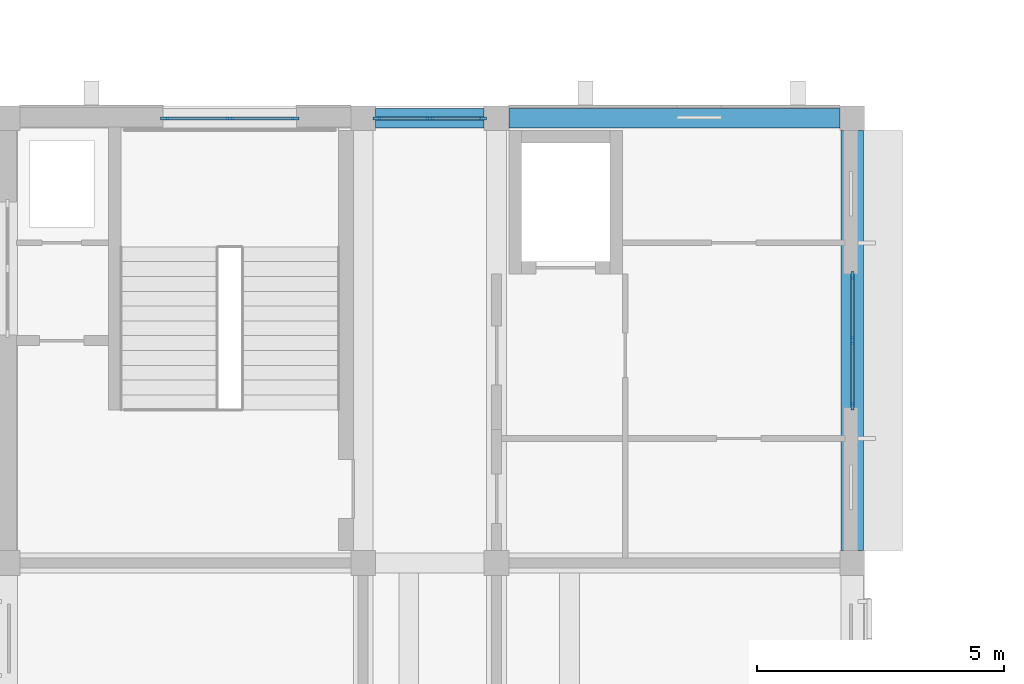
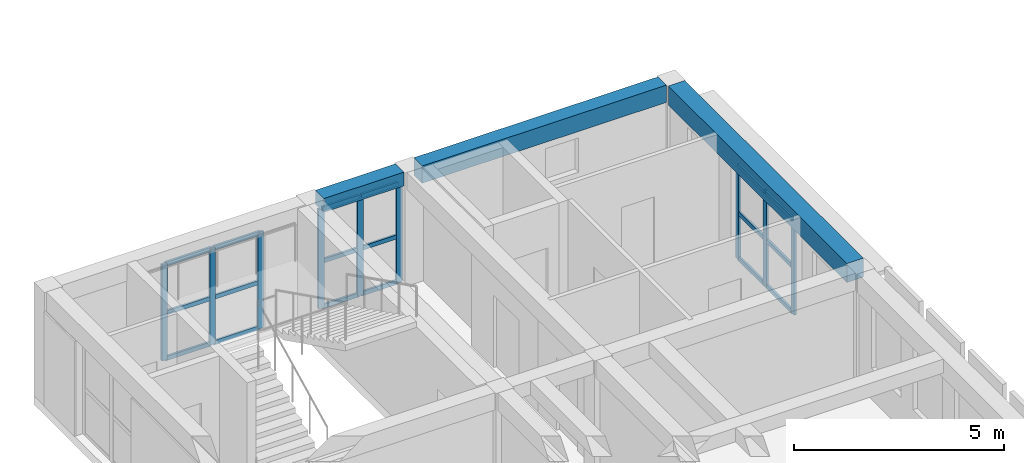
# One storey, part 21 of 50: 27 members, 3 beams, 3 elements without a shape of their own.
"""IFC4 building model written with IfcOpenShell, lengths in metres."""

import ifcopenshell
import ifcopenshell.guid

model = None  # the IFC model being written
_history = None  # IfcOwnerHistory: only IFC2X3 demands one
_inside = {}  # id of a spatial element -> (the spatial element, [elements in it])
_under = {}  # id of a project, library or spatial element -> (it, [spatial elements below it])
_declared = {}  # id of a project -> (the project, [libraries it declares])
_typed = {}  # id of a type object -> (the type object, [elements of that type])
_made_of = {}  # id of a material, layer set ... -> (it, [elements and type objects made of it])


def new_model(schema):
    """Start an empty IFC model of exactly this schema.

    Asked for "IFC4X3", IfcOpenShell would pick the latest addendum, in which some entities
    have other attributes; the version numbers below select the first issue.
    IFC2X3 requires an IfcOwnerHistory on every rooted entity: one is made here for all.
    """
    global model, _history
    if schema == "IFC4X3":
        model = ifcopenshell.file(schema_version=(4, 3, 0, 0))
    else:
        model = ifcopenshell.file(schema=schema)
    _inside.clear()
    _under.clear()
    _declared.clear()
    _typed.clear()
    _made_of.clear()
    _history = None
    if model.schema == "IFC2X3":
        org = make("IfcOrganization", Name="unknown")
        user = make(
            "IfcPersonAndOrganization",
            ThePerson=make("IfcPerson", FamilyName="unknown"),
            TheOrganization=org,
        )
        app = make(
            "IfcApplication",
            ApplicationDeveloper=org,
            Version="unknown",
            ApplicationFullName="unknown",
            ApplicationIdentifier="unknown",
        )
        _history = make(
            "IfcOwnerHistory",
            OwningUser=user,
            OwningApplication=app,
            ChangeAction="ADDED",
            CreationDate=0,
        )
    return model


def make(cls, **values):
    """One entity of the class cls with the attributes given. An attribute that is None is left unset."""
    return model.create_entity(
        cls, **{name: value for name, value in values.items() if value is not None}
    )


def rooted(cls, **values):
    """An entity with a GlobalId (a new one), such as an element, a storey or a relation."""
    return make(cls, GlobalId=ifcopenshell.guid.new(), OwnerHistory=_history, **values)


def si_unit(unit_type, name, prefix=None):
    """IfcSIUnit, for example si_unit("LENGTHUNIT", "METRE", prefix="MILLI")."""
    return make("IfcSIUnit", UnitType=unit_type, Prefix=prefix, Name=name)


def assignment(units):
    """IfcUnitAssignment: the units of a project."""
    return None if units is None else make("IfcUnitAssignment", Units=units)


def point(xyz):
    """IfcCartesianPoint."""
    return None if xyz is None else make("IfcCartesianPoint", Coordinates=xyz)


def direction(xyz):
    """IfcDirection."""
    return None if xyz is None else make("IfcDirection", DirectionRatios=xyz)


def frame(location, z_axis=None, x_axis=None):
    """IfcAxis2Placement3D, a coordinate frame: its origin and axes. An axis left out is left unset."""
    return make(
        "IfcAxis2Placement3D",
        Location=point(location),
        Axis=direction(z_axis),
        RefDirection=direction(x_axis),
    )


def frame_2d(location, x_axis=None):
    """IfcAxis2Placement2D, a coordinate frame in the plane: its origin and x axis."""
    return make(
        "IfcAxis2Placement2D", Location=point(location), RefDirection=direction(x_axis)
    )


def origin():
    """The frame at (0, 0, 0) with its axes left unset."""
    return frame((0.0, 0.0, 0.0))


def origin_2d():
    """The frame at (0, 0) in the plane with its x axis left unset."""
    return frame_2d((0.0, 0.0))


def place(relative_to, where):
    """IfcLocalPlacement: puts the frame where relative to a parent placement (None: the world)."""
    return make(
        "IfcLocalPlacement", PlacementRelTo=relative_to, RelativePlacement=where
    )


def context(
    kind, dimensions, precision=None, world=None, true_north=None, identifier=None
):
    """IfcGeometricRepresentationContext, for example the 3D "Model" context."""
    return make(
        "IfcGeometricRepresentationContext",
        ContextIdentifier=identifier,
        ContextType=kind,
        CoordinateSpaceDimension=dimensions,
        Precision=precision,
        WorldCoordinateSystem=world,
        TrueNorth=true_north,
    )


def subcontext(parent, identifier, kind, view, scale=None):
    """IfcGeometricRepresentationSubContext, for example "Body" below "Model"."""
    return make(
        "IfcGeometricRepresentationSubContext",
        ContextIdentifier=identifier,
        ContextType=kind,
        ParentContext=parent,
        TargetScale=scale,
        TargetView=view,
    )


def project(units=None, contexts=None):
    """IfcProject with its units and contexts."""
    return rooted(
        "IfcProject",
        Name="project",
        RepresentationContexts=contexts,
        UnitsInContext=assignment(units),
    )


def spatial(cls, under=None, at=None, **own):
    """A site, building, storey or space (cls), placed at a placement, below another one or the project."""
    s = rooted(cls, ObjectPlacement=at, **own)
    if under is not None:
        _under.setdefault(under.id(), (under, []))[1].append(s)
    return s


def profile(cls, at=None, kind="AREA", **sizes):
    """A parametric profile (cls). Its sizes go by their IFC names, for example OverallWidth=200.0."""
    return make(cls, ProfileType=kind, Position=at, **sizes)


def rectangle(**sizes):
    """IfcRectangleProfileDef."""
    return profile("IfcRectangleProfileDef", **sizes)


def extrude(swept, where, along, depth):
    """IfcExtrudedAreaSolid: the profile swept, set in the frame where, extruded along a direction by depth."""
    return make(
        "IfcExtrudedAreaSolid",
        SweptArea=swept,
        Position=where,
        ExtrudedDirection=direction(along),
        Depth=depth,
    )


def shape(context_of_items, identifier, shape_type, items):
    """IfcShapeRepresentation: the items that make up one representation, for example the "Body"."""
    return make(
        "IfcShapeRepresentation",
        ContextOfItems=context_of_items,
        RepresentationIdentifier=identifier,
        RepresentationType=shape_type,
        Items=items,
    )


def material(Name=None, Category=None):
    """IfcMaterial."""
    return make("IfcMaterial", Name=Name, Category=Category)


def layer(
    of_material, thickness, ventilated=None, Name=None, Category=None, Priority=None
):
    """IfcMaterialLayer: one layer of a wall or slab, of a material (None: an air gap)."""
    return make(
        "IfcMaterialLayer",
        Material=of_material,
        LayerThickness=thickness,
        IsVentilated=ventilated,
        Name=Name,
        Category=Category,
        Priority=Priority,
    )


def layer_set(layers, Name=None):
    """IfcMaterialLayerSet."""
    return make("IfcMaterialLayerSet", MaterialLayers=layers, LayerSetName=Name)


def material_profile(
    of_material, cross_section, Name=None, Category=None, Priority=None
):
    """IfcMaterialProfile: a cross section and its material."""
    return make(
        "IfcMaterialProfile",
        Name=Name,
        Material=of_material,
        Profile=cross_section,
        Priority=Priority,
        Category=Category,
    )


def profile_set(profiles, Name=None, composite=None):
    """IfcMaterialProfileSet."""
    return make(
        "IfcMaterialProfileSet",
        Name=Name,
        MaterialProfiles=profiles,
        CompositeProfile=composite,
    )


def made_of(thing, what):
    """Note that an element or type object is made of a material, layer set ...; save() writes the relation."""
    if what is not None:
        _made_of.setdefault(what.id(), (what, []))[1].append(thing)
    return thing


def type_object(cls, material=None, **own):
    """A type object (cls), such as IfcWallType, which elements share."""
    return made_of(rooted(cls, **own), material)


def element(
    cls,
    number,
    at=None,
    inside=None,
    cuts=None,
    type_object=None,
    material=None,
    context=None,
    identifier="Body",
    shape_type=None,
    held_by="IfcProductDefinitionShape",
    body=None,
    shapes=None,
    **own,
):
    """One element of the class cls, such as IfcWall. Its Tag is "e" and its number.

    at: its placement. inside: the storey or other place that contains it. cuts: it is an
    opening in that element (IfcRelVoidsElement). A single representation is given by context,
    identifier, shape_type and body (its items); several are given by shapes. held_by: the class
    of the entity that holds the representations. save() writes the other relations.
    """
    e = rooted(cls, Tag="e%d" % number, ObjectPlacement=at, **own)
    if body is not None:
        shapes = [shape(context, identifier, shape_type, body)]
    if shapes is not None:
        e.Representation = make(held_by, Representations=shapes)
    if inside is not None:
        _inside.setdefault(inside.id(), (inside, []))[1].append(e)
    if cuts is not None:
        rooted(
            "IfcRelVoidsElement", RelatingBuildingElement=cuts, RelatedOpeningElement=e
        )
    if type_object is not None:
        _typed.setdefault(type_object.id(), (type_object, []))[1].append(e)
    return made_of(e, material)


def aggregate(whole, parts):
    """IfcRelAggregates: a whole, such as a stair, and the parts it consists of."""
    return rooted("IfcRelAggregates", RelatingObject=whole, RelatedObjects=parts)


def save(model, path):
    """Write the relations noted so far, then the file.

    IfcRelAggregates (storeys below a building ...), IfcRelContainedInSpatialStructure (elements
    in a storey), IfcRelDefinesByType, IfcRelAssociatesMaterial and IfcRelDeclares: one each for
    every whole, place, type object, material and project.
    """
    for whole, parts in _under.values():
        aggregate(whole, parts)
    for where, things in _inside.values():
        rooted(
            "IfcRelContainedInSpatialStructure",
            RelatedElements=things,
            RelatingStructure=where,
        )
    for kind, things in _typed.values():
        rooted("IfcRelDefinesByType", RelatedObjects=things, RelatingType=kind)
    for what, things in _made_of.values():
        rooted("IfcRelAssociatesMaterial", RelatedObjects=things, RelatingMaterial=what)
    for by, libraries in _declared.values():
        rooted("IfcRelDeclares", RelatingContext=by, RelatedDefinitions=libraries)
    model.write(path)


model = new_model("IFC4")

# Units and contexts
model_context = context("Model", 3, precision=1e-05, world=origin(), true_north=direction((0.0, 1.0)))
body_context = subcontext(model_context, "Body", "Model", "MODEL_VIEW")
ifc_project = project(units=[si_unit("LENGTHUNIT", "METRE"), si_unit("AREAUNIT", "SQUARE_METRE"), si_unit("VOLUMEUNIT", "CUBIC_METRE"), si_unit("PLANEANGLEUNIT", "RADIAN"), si_unit("MASSUNIT", "GRAM", prefix="KILO")], contexts=[model_context])

# Site, building, storey
site_placement = place(None, origin())
site = spatial("IfcSite", under=ifc_project, at=site_placement, CompositionType="ELEMENT")
building_placement = place(site_placement, origin())
building = spatial("IfcBuilding", under=site, at=building_placement, Name="Elbe Cascade School", CompositionType="ELEMENT")
storey_placement = place(building_placement, frame((0.0, 0.0, 15.300048828125)))
storey = spatial("IfcBuildingStorey", under=building, at=storey_placement, Name="L04", CompositionType="ELEMENT", Elevation=15.300048828125)

# Curtain wall, members
ifc_material_1 = material(Name="Aluminium frame with double glazing, bronze anodised", Category="aluminium")
ifc_layer = layer(ifc_material_1, 0.159912109375)
ifc_layer_set = layer_set([ifc_layer], Name="Aluminium frame with double glazing, bronze anodised")
curtain_wall_type = type_object("IfcCurtainWallType", Name="Bars envelope Curtain wall, aluminium, bronze anodised, storey-high slot", PredefinedType="NOTDEFINED", material=ifc_layer_set)
curtain_wall_1_placement = place(storey_placement, origin())
curtain_wall_1 = element("IfcCurtainWall", 1, at=curtain_wall_1_placement, inside=storey, type_object=curtain_wall_type, Name="Curtain wall CW4 A.L04.e6", PredefinedType="NOTDEFINED")
ifc_material_2 = material(Name="Aluminium mullion, bronze anodised", Category="aluminium")
ifc_material_profile_1 = material_profile(ifc_material_2, rectangle(XDim=0.06005859375, YDim=0.159912109375, at=origin_2d()), Name="Bars envelope Curtain wall mullion 60 x 160, aluminium, storey-high slot")
ifc_profile_set_1 = profile_set([ifc_material_profile_1], Name="Aluminium mullion, bronze anodised")
member_type_1 = type_object("IfcMemberType", Name="Bars envelope Curtain wall mullion 60 x 160, aluminium, storey-high slot", PredefinedType="MULLION", material=ifc_profile_set_1)
member_1_placement = place(storey_placement, frame((86.10009765625, 56.820068359375, 0.0), z_axis=(0.0, 0.0, 1.0), x_axis=(1.0, 0.0, 0.0)))
member_1 = element("IfcMember", 2, at=member_1_placement, type_object=member_type_1, Name="CW4 mullion 1", PredefinedType="MULLION", context=body_context, shape_type="SweptSolid", body=[
    extrude(rectangle(XDim=0.06005859375, YDim=0.159912109375, at=origin_2d()), origin(), (0.0, 0.0, 1.0), 2.75),
])
member_2_placement = place(storey_placement, frame((86.10009765625, 55.5, 0.0), z_axis=(0.0, 0.0, 1.0), x_axis=(1.0, 0.0, 0.0)))
member_2 = element("IfcMember", 3, at=member_2_placement, type_object=member_type_1, Name="CW4 mullion 2", PredefinedType="MULLION", context=body_context, shape_type="SweptSolid", body=[
    extrude(rectangle(XDim=0.06005859375, YDim=0.159912109375, at=origin_2d()), origin(), (0.0, 0.0, 1.0), 2.75),
])
member_3_placement = place(storey_placement, frame((86.10009765625, 54.179931640625, 0.0), z_axis=(0.0, 0.0, 1.0), x_axis=(1.0, 0.0, 0.0)))
member_3 = element("IfcMember", 4, at=member_3_placement, type_object=member_type_1, Name="CW4 mullion 3", PredefinedType="MULLION", context=body_context, shape_type="SweptSolid", body=[
    extrude(rectangle(XDim=0.06005859375, YDim=0.159912109375, at=origin_2d()), origin(), (0.0, 0.0, 1.0), 2.75),
])

curtain_wall_2_placement = place(storey_placement, origin())
curtain_wall_2 = element("IfcCurtainWall", 5, at=curtain_wall_2_placement, inside=storey, type_object=curtain_wall_type, Name="Curtain wall CW4 A.L04.n1", PredefinedType="NOTDEFINED")
member_4_placement = place(storey_placement, frame((72.179931640625, 60.0, 0.0), z_axis=(0.0, 0.0, 1.0), x_axis=(0.0, 1.0, 0.0)))
member_4 = element("IfcMember", 6, at=member_4_placement, type_object=member_type_1, Name="CW4 mullion 1", PredefinedType="MULLION", context=body_context, shape_type="SweptSolid", body=[
    extrude(rectangle(XDim=0.06005859375, YDim=0.159912109375, at=origin_2d()), origin(), (0.0, 0.0, 1.0), 2.800048828125),
])
member_5_placement = place(storey_placement, frame((73.5, 60.0, 0.0), z_axis=(0.0, 0.0, 1.0), x_axis=(0.0, 1.0, 0.0)))
member_5 = element("IfcMember", 7, at=member_5_placement, type_object=member_type_1, Name="CW4 mullion 2", PredefinedType="MULLION", context=body_context, shape_type="SweptSolid", body=[
    extrude(rectangle(XDim=0.06005859375, YDim=0.159912109375, at=origin_2d()), origin(), (0.0, 0.0, 1.0), 2.800048828125),
])
member_6_placement = place(storey_placement, frame((74.820068359375, 60.0, 0.0), z_axis=(0.0, 0.0, 1.0), x_axis=(0.0, 1.0, 0.0)))
member_6 = element("IfcMember", 8, at=member_6_placement, type_object=member_type_1, Name="CW4 mullion 3", PredefinedType="MULLION", context=body_context, shape_type="SweptSolid", body=[
    extrude(rectangle(XDim=0.06005859375, YDim=0.159912109375, at=origin_2d()), origin(), (0.0, 0.0, 1.0), 2.800048828125),
])

curtain_wall_3_placement = place(storey_placement, origin())
curtain_wall_3 = element("IfcCurtainWall", 9, at=curtain_wall_3_placement, inside=storey, type_object=curtain_wall_type, Name="Curtain wall CW4 A.L04.n2", PredefinedType="NOTDEFINED")
member_7_placement = place(storey_placement, frame((76.47998046875, 60.0, 0.0), z_axis=(0.0, 0.0, 1.0), x_axis=(0.0, 1.0, 0.0)))
member_7 = element("IfcMember", 10, at=member_7_placement, type_object=member_type_1, Name="CW4 mullion 1", PredefinedType="MULLION", context=body_context, shape_type="SweptSolid", body=[
    extrude(rectangle(XDim=0.06005859375, YDim=0.159912109375, at=origin_2d()), origin(), (0.0, 0.0, 1.0), 2.89990234375),
])
member_8_placement = place(storey_placement, frame((77.550048828125, 60.0, 0.0), z_axis=(0.0, 0.0, 1.0), x_axis=(0.0, 1.0, 0.0)))
member_8 = element("IfcMember", 11, at=member_8_placement, type_object=member_type_1, Name="CW4 mullion 2", PredefinedType="MULLION", context=body_context, shape_type="SweptSolid", body=[
    extrude(rectangle(XDim=0.06005859375, YDim=0.159912109375, at=origin_2d()), origin(), (0.0, 0.0, 1.0), 2.89990234375),
])
member_9_placement = place(storey_placement, frame((78.6201171875, 60.0, 0.0), z_axis=(0.0, 0.0, 1.0), x_axis=(0.0, 1.0, 0.0)))
member_9 = element("IfcMember", 12, at=member_9_placement, type_object=member_type_1, Name="CW4 mullion 3", PredefinedType="MULLION", context=body_context, shape_type="SweptSolid", body=[
    extrude(rectangle(XDim=0.06005859375, YDim=0.159912109375, at=origin_2d()), origin(), (0.0, 0.0, 1.0), 2.89990234375),
])

# Member
ifc_material_3 = material(Name="Aluminium transom, bronze anodised", Category="aluminium")
ifc_material_profile_2 = material_profile(ifc_material_3, rectangle(XDim=0.06005859375, YDim=0.1201171875, at=origin_2d()), Name="Bars envelope Curtain wall transom 60 x 120, aluminium, storey-high slot")
ifc_profile_set_2 = profile_set([ifc_material_profile_2], Name="Aluminium transom, bronze anodised")
member_type_2 = type_object("IfcMemberType", Name="Bars envelope Curtain wall transom 60 x 120, aluminium, storey-high slot", PredefinedType="USERDEFINED", material=ifc_profile_set_2)
member_10_placement = place(storey_placement, frame((86.10009765625, 56.7900390625, 0.030029296875), z_axis=(0.0, -1.0, 0.0), x_axis=(1.0, 0.0, 0.0)))
member_10 = element("IfcMember", 13, at=member_10_placement, type_object=member_type_2, Name="CW4 transom 1.1", ObjectType="TRANSOM", PredefinedType="USERDEFINED", context=body_context, shape_type="SweptSolid", body=[
    extrude(rectangle(XDim=0.06005859375, YDim=0.1201171875, at=origin_2d()), origin(), (0.0, 0.0, 1.0), 1.260009765625),
])

member_11_placement = place(storey_placement, frame((86.10009765625, 56.7900390625, 1.349853515625), z_axis=(0.0, -1.0, 0.0), x_axis=(1.0, 0.0, 0.0)))
member_11 = element("IfcMember", 14, at=member_11_placement, type_object=member_type_2, Name="CW4 transom 1.2", ObjectType="TRANSOM", PredefinedType="USERDEFINED", context=body_context, shape_type="SweptSolid", body=[
    extrude(rectangle(XDim=0.06005859375, YDim=0.1201171875, at=origin_2d()), origin(), (0.0, 0.0, 1.0), 1.260009765625),
])

member_12_placement = place(storey_placement, frame((86.10009765625, 56.7900390625, 2.719970703125), z_axis=(0.0, -1.0, 0.0), x_axis=(1.0, 0.0, 0.0)))
member_12 = element("IfcMember", 15, at=member_12_placement, type_object=member_type_2, Name="CW4 transom 1.3", ObjectType="TRANSOM", PredefinedType="USERDEFINED", context=body_context, shape_type="SweptSolid", body=[
    extrude(rectangle(XDim=0.06005859375, YDim=0.1201171875, at=origin_2d()), origin(), (0.0, 0.0, 1.0), 1.260009765625),
])

member_13_placement = place(storey_placement, frame((86.10009765625, 55.469970703125, 0.030029296875), z_axis=(0.0, -1.0, 0.0), x_axis=(1.0, 0.0, 0.0)))
member_13 = element("IfcMember", 16, at=member_13_placement, type_object=member_type_2, Name="CW4 transom 2.1", ObjectType="TRANSOM", PredefinedType="USERDEFINED", context=body_context, shape_type="SweptSolid", body=[
    extrude(rectangle(XDim=0.06005859375, YDim=0.1201171875, at=origin_2d()), origin(), (0.0, 0.0, 1.0), 1.260009765625),
])

member_14_placement = place(storey_placement, frame((86.10009765625, 55.469970703125, 1.349853515625), z_axis=(0.0, -1.0, 0.0), x_axis=(1.0, 0.0, 0.0)))
member_14 = element("IfcMember", 17, at=member_14_placement, type_object=member_type_2, Name="CW4 transom 2.2", ObjectType="TRANSOM", PredefinedType="USERDEFINED", context=body_context, shape_type="SweptSolid", body=[
    extrude(rectangle(XDim=0.06005859375, YDim=0.1201171875, at=origin_2d()), origin(), (0.0, 0.0, 1.0), 1.260009765625),
])

member_15_placement = place(storey_placement, frame((86.10009765625, 55.469970703125, 2.719970703125), z_axis=(0.0, -1.0, 0.0), x_axis=(1.0, 0.0, 0.0)))
member_15 = element("IfcMember", 18, at=member_15_placement, type_object=member_type_2, Name="CW4 transom 2.3", ObjectType="TRANSOM", PredefinedType="USERDEFINED", context=body_context, shape_type="SweptSolid", body=[
    extrude(rectangle(XDim=0.06005859375, YDim=0.1201171875, at=origin_2d()), origin(), (0.0, 0.0, 1.0), 1.260009765625),
])

aggregate(curtain_wall_1, [member_1, member_2, member_3, member_10, member_11, member_12, member_13, member_14, member_15])

member_16_placement = place(storey_placement, frame((72.2099609375, 60.0, 0.030029296875), z_axis=(1.0, 0.0, 0.0), x_axis=(0.0, 1.0, 0.0)))
member_16 = element("IfcMember", 19, at=member_16_placement, type_object=member_type_2, Name="CW4 transom 1.1", ObjectType="TRANSOM", PredefinedType="USERDEFINED", context=body_context, shape_type="SweptSolid", body=[
    extrude(rectangle(XDim=0.06005859375, YDim=0.1201171875, at=origin_2d()), origin(), (0.0, 0.0, 1.0), 1.260009765625),
])

member_17_placement = place(storey_placement, frame((72.2099609375, 60.0, 1.349853515625), z_axis=(1.0, 0.0, 0.0), x_axis=(0.0, 1.0, 0.0)))
member_17 = element("IfcMember", 20, at=member_17_placement, type_object=member_type_2, Name="CW4 transom 1.2", ObjectType="TRANSOM", PredefinedType="USERDEFINED", context=body_context, shape_type="SweptSolid", body=[
    extrude(rectangle(XDim=0.06005859375, YDim=0.1201171875, at=origin_2d()), origin(), (0.0, 0.0, 1.0), 1.260009765625),
])

member_18_placement = place(storey_placement, frame((72.2099609375, 60.0, 2.77001953125), z_axis=(1.0, 0.0, 0.0), x_axis=(0.0, 1.0, 0.0)))
member_18 = element("IfcMember", 21, at=member_18_placement, type_object=member_type_2, Name="CW4 transom 1.3", ObjectType="TRANSOM", PredefinedType="USERDEFINED", context=body_context, shape_type="SweptSolid", body=[
    extrude(rectangle(XDim=0.06005859375, YDim=0.1201171875, at=origin_2d()), origin(), (0.0, 0.0, 1.0), 1.260009765625),
])

member_19_placement = place(storey_placement, frame((73.530029296875, 60.0, 0.030029296875), z_axis=(1.0, 0.0, 0.0), x_axis=(0.0, 1.0, 0.0)))
member_19 = element("IfcMember", 22, at=member_19_placement, type_object=member_type_2, Name="CW4 transom 2.1", ObjectType="TRANSOM", PredefinedType="USERDEFINED", context=body_context, shape_type="SweptSolid", body=[
    extrude(rectangle(XDim=0.06005859375, YDim=0.1201171875, at=origin_2d()), origin(), (0.0, 0.0, 1.0), 1.260009765625),
])

member_20_placement = place(storey_placement, frame((73.530029296875, 60.0, 1.349853515625), z_axis=(1.0, 0.0, 0.0), x_axis=(0.0, 1.0, 0.0)))
member_20 = element("IfcMember", 23, at=member_20_placement, type_object=member_type_2, Name="CW4 transom 2.2", ObjectType="TRANSOM", PredefinedType="USERDEFINED", context=body_context, shape_type="SweptSolid", body=[
    extrude(rectangle(XDim=0.06005859375, YDim=0.1201171875, at=origin_2d()), origin(), (0.0, 0.0, 1.0), 1.260009765625),
])

member_21_placement = place(storey_placement, frame((73.530029296875, 60.0, 2.77001953125), z_axis=(1.0, 0.0, 0.0), x_axis=(0.0, 1.0, 0.0)))
member_21 = element("IfcMember", 24, at=member_21_placement, type_object=member_type_2, Name="CW4 transom 2.3", ObjectType="TRANSOM", PredefinedType="USERDEFINED", context=body_context, shape_type="SweptSolid", body=[
    extrude(rectangle(XDim=0.06005859375, YDim=0.1201171875, at=origin_2d()), origin(), (0.0, 0.0, 1.0), 1.260009765625),
])

aggregate(curtain_wall_2, [member_4, member_5, member_6, member_16, member_17, member_18, member_19, member_20, member_21])

member_22_placement = place(storey_placement, frame((76.510009765625, 60.0, 0.030029296875), z_axis=(1.0, 0.0, 0.0), x_axis=(0.0, 1.0, 0.0)))
member_22 = element("IfcMember", 25, at=member_22_placement, type_object=member_type_2, Name="CW4 transom 1.1", ObjectType="TRANSOM", PredefinedType="USERDEFINED", context=body_context, shape_type="SweptSolid", body=[
    extrude(rectangle(XDim=0.06005859375, YDim=0.1201171875, at=origin_2d()), origin(), (0.0, 0.0, 1.0), 1.010009765625),
])

member_23_placement = place(storey_placement, frame((76.510009765625, 60.0, 1.349853515625), z_axis=(1.0, 0.0, 0.0), x_axis=(0.0, 1.0, 0.0)))
member_23 = element("IfcMember", 26, at=member_23_placement, type_object=member_type_2, Name="CW4 transom 1.2", ObjectType="TRANSOM", PredefinedType="USERDEFINED", context=body_context, shape_type="SweptSolid", body=[
    extrude(rectangle(XDim=0.06005859375, YDim=0.1201171875, at=origin_2d()), origin(), (0.0, 0.0, 1.0), 1.010009765625),
])

member_24_placement = place(storey_placement, frame((76.510009765625, 60.0, 2.869873046875), z_axis=(1.0, 0.0, 0.0), x_axis=(0.0, 1.0, 0.0)))
member_24 = element("IfcMember", 27, at=member_24_placement, type_object=member_type_2, Name="CW4 transom 1.3", ObjectType="TRANSOM", PredefinedType="USERDEFINED", context=body_context, shape_type="SweptSolid", body=[
    extrude(rectangle(XDim=0.06005859375, YDim=0.1201171875, at=origin_2d()), origin(), (0.0, 0.0, 1.0), 1.010009765625),
])

member_25_placement = place(storey_placement, frame((77.580078125, 60.0, 0.030029296875), z_axis=(1.0, 0.0, 0.0), x_axis=(0.0, 1.0, 0.0)))
member_25 = element("IfcMember", 28, at=member_25_placement, type_object=member_type_2, Name="CW4 transom 2.1", ObjectType="TRANSOM", PredefinedType="USERDEFINED", context=body_context, shape_type="SweptSolid", body=[
    extrude(rectangle(XDim=0.06005859375, YDim=0.1201171875, at=origin_2d()), origin(), (0.0, 0.0, 1.0), 1.010009765625),
])

member_26_placement = place(storey_placement, frame((77.580078125, 60.0, 1.349853515625), z_axis=(1.0, 0.0, 0.0), x_axis=(0.0, 1.0, 0.0)))
member_26 = element("IfcMember", 29, at=member_26_placement, type_object=member_type_2, Name="CW4 transom 2.2", ObjectType="TRANSOM", PredefinedType="USERDEFINED", context=body_context, shape_type="SweptSolid", body=[
    extrude(rectangle(XDim=0.06005859375, YDim=0.1201171875, at=origin_2d()), origin(), (0.0, 0.0, 1.0), 1.010009765625),
])

member_27_placement = place(storey_placement, frame((77.580078125, 60.0, 2.869873046875), z_axis=(1.0, 0.0, 0.0), x_axis=(0.0, 1.0, 0.0)))
member_27 = element("IfcMember", 30, at=member_27_placement, type_object=member_type_2, Name="CW4 transom 2.3", ObjectType="TRANSOM", PredefinedType="USERDEFINED", context=body_context, shape_type="SweptSolid", body=[
    extrude(rectangle(XDim=0.06005859375, YDim=0.1201171875, at=origin_2d()), origin(), (0.0, 0.0, 1.0), 1.010009765625),
])

aggregate(curtain_wall_3, [member_7, member_8, member_9, member_22, member_23, member_24, member_25, member_26, member_27])

# Beams
ifc_material_4 = material(Name="Concrete C30/37", Category="concrete")
ifc_material_profile_3 = material_profile(ifc_material_4, rectangle(XDim=0.39990234375, YDim=0.39990234375, at=origin_2d()), Name="RC 400x400")
ifc_profile_set_3 = profile_set([ifc_material_profile_3], Name="Concrete C30/37")
beam_type_1 = type_object("IfcBeamType", Name="RC 400x400 beam", PredefinedType="BEAM", material=ifc_profile_set_3)
beam_1_placement = place(storey_placement, frame((76.449951171875, 60.0, 3.099853515625), z_axis=(1.0, 0.0, 0.0), x_axis=(0.0, 1.0, 0.0)))
element("IfcBeam", 31, at=beam_1_placement, inside=storey, type_object=beam_type_1, Name="RC 400x400 beam B5", PredefinedType="BEAM", context=body_context, shape_type="SweptSolid", body=[
    extrude(rectangle(XDim=0.39990234375, YDim=0.39990234375, at=origin_2d()), origin(), (0.0, 0.0, 1.0), 2.199951171875),
])
ifc_material_5 = material(Name="Concrete C30/37", Category="concrete")
ifc_material_profile_4 = material_profile(ifc_material_5, rectangle(XDim=0.39990234375, YDim=0.5, at=origin_2d()), Name="RC 400x500")
ifc_profile_set_4 = profile_set([ifc_material_profile_4], Name="Concrete C30/37")
beam_type_2 = type_object("IfcBeamType", Name="RC 400x500 beam", PredefinedType="BEAM", material=ifc_profile_set_4)
beam_2_placement = place(storey_placement, frame((79.14990234375, 60.0, 3.050048828125), z_axis=(1.0, 0.0, 0.0), x_axis=(0.0, 1.0, 0.0)))
element("IfcBeam", 32, at=beam_2_placement, inside=storey, type_object=beam_type_2, Name="RC 400x500 beam B1", PredefinedType="BEAM", context=body_context, shape_type="SweptSolid", body=[
    extrude(rectangle(XDim=0.39990234375, YDim=0.5, at=origin_2d()), origin(), (0.0, 0.0, 1.0), 6.7001953125),
])
ifc_material_6 = material(Name="Concrete C30/37", Category="concrete")
ifc_material_profile_5 = material_profile(ifc_material_6, rectangle(XDim=0.449951171875, YDim=0.550048828125, at=origin_2d()), Name="RC 450x550")
ifc_profile_set_5 = profile_set([ifc_material_profile_5], Name="Concrete C30/37")
beam_type_3 = type_object("IfcBeamType", Name="RC 450x550 beam", PredefinedType="BEAM", material=ifc_profile_set_5)
beam_3_placement = place(storey_placement, frame((86.10009765625, 51.25, 3.02490234375), z_axis=(0.0, 1.0, 0.0), x_axis=(-1.0, 0.0, 0.0)))
element("IfcBeam", 33, at=beam_3_placement, inside=storey, type_object=beam_type_3, Name="RC 450x550 beam B12", PredefinedType="BEAM", context=body_context, shape_type="SweptSolid", body=[
    extrude(rectangle(XDim=0.449951171875, YDim=0.550048828125, at=origin_2d()), origin(), (0.0, 0.0, 1.0), 8.5),
])

save(model, "model.ifc")
